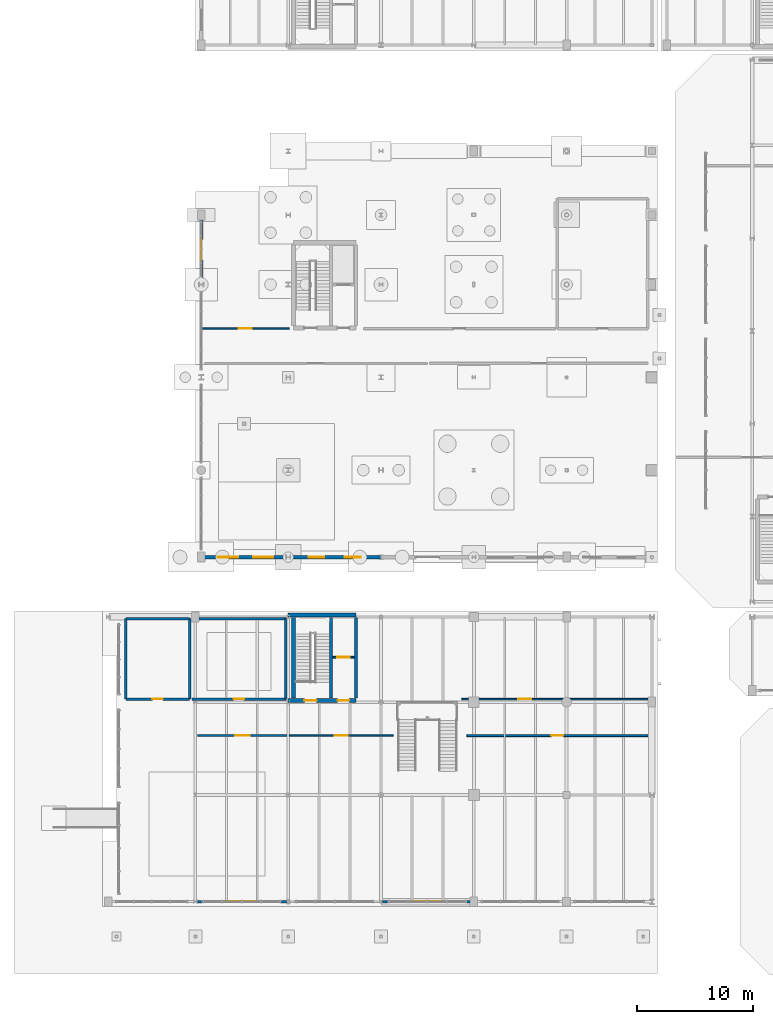
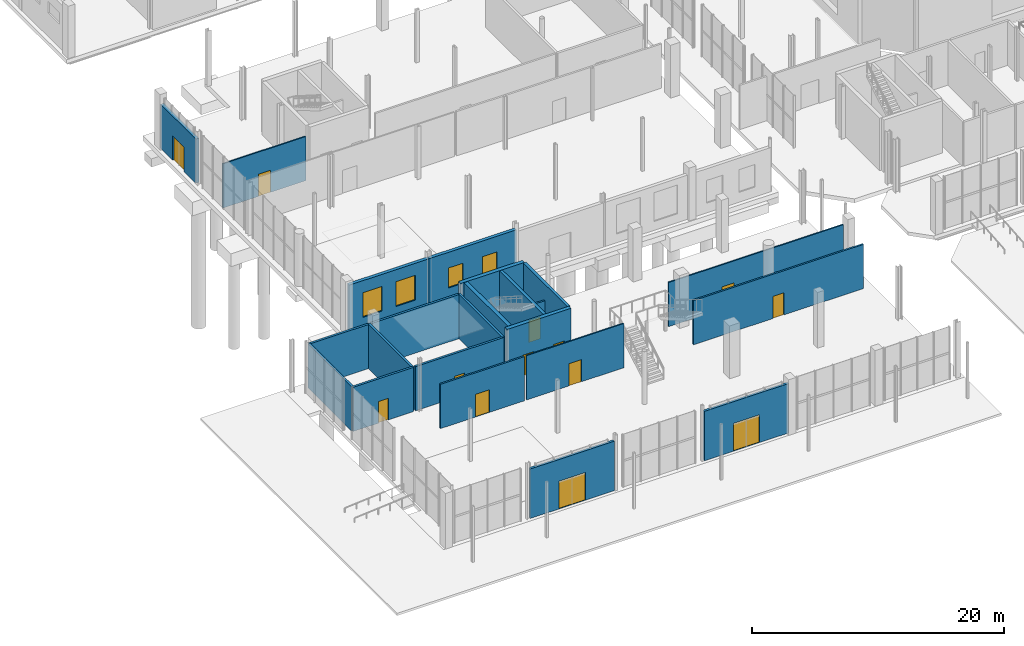
# One storey, part 65 of 87: 23 walls, 13 doors, 4 windows, 17 openings.
"""IFC4 building model written with IfcOpenShell, lengths in metres."""

from ifc_helpers import new_model, si_unit, direction, frame, frame_2d, origin, place, context, subcontext, project, spatial, rectangle, extrude, material, layer, layer_set, type_object, element, fill, save


model = new_model("IFC4")

# Units and contexts
model_context = context("Model", 3, precision=1e-05, world=origin(), true_north=direction((0.0, 1.0)))
body_context = subcontext(model_context, "Body", "Model", "MODEL_VIEW")
ifc_project = project(units=[si_unit("LENGTHUNIT", "METRE"), si_unit("AREAUNIT", "SQUARE_METRE"), si_unit("VOLUMEUNIT", "CUBIC_METRE"), si_unit("PLANEANGLEUNIT", "RADIAN"), si_unit("MASSUNIT", "GRAM", prefix="KILO")], contexts=[model_context])

# Site, building, storey
site_placement = place(None, origin())
site = spatial("IfcSite", under=ifc_project, at=site_placement, CompositionType="ELEMENT")
building_placement = place(site_placement, origin())
building = spatial("IfcBuilding", under=site, at=building_placement, Name="Brisemont Oceanarium", CompositionType="ELEMENT")
storey_placement = place(building_placement, origin())
storey = spatial("IfcBuildingStorey", under=building, at=storey_placement, Name="L00", CompositionType="ELEMENT", Elevation=0.0)

# Wall, opening, door
ifc_material_1 = material(Name="Sierra Granite Ashlar Backup Concrete C35/45", Category="masonry")
ifc_layer_1 = layer(ifc_material_1, 0.219970703125)
ifc_layer_set_1 = layer_set([ifc_layer_1], Name="Sierra Granite Ashlar Backup Concrete C35/45")
wall_type_1 = type_object("IfcWallType", Name="EW-BACK-220", PredefinedType="STANDARD", material=ifc_layer_set_1)
wall_1_placement = place(storey_placement, frame((23.860107421875, 6.800048828125, 0.0), z_axis=(0.0, 0.0, 1.0), x_axis=(-1.0, 0.0, 0.0)))
wall_1 = element("IfcWall", 1, at=wall_1_placement, inside=storey, type_object=wall_type_1, Name="Beaux-Arts exterior wall EW-V2PLZ-ENT-1", PredefinedType="STANDARD", context=body_context, shape_type="SweptSolid", body=[
    extrude(rectangle(XDim=7.72021484375, YDim=0.219970703125, at=frame_2d((3.860107421875, 0.0))), origin(), (0.0, 0.0, 1.0), 4.800048828125),
])
opening_1_placement = place(wall_1_placement, frame((2.659912109375, 0.0, 0.0)))
opening_1 = element("IfcOpeningElement", 2, at=opening_1_placement, cuts=wall_1, Name="Opening EX-01", PredefinedType="OPENING", context=body_context, shape_type="SweptSolid", body=[
    extrude(rectangle(XDim=2.39990234375, YDim=2.699951171875, at=frame_2d((1.199951171875, 1.35009765625))), frame((0.0, 0.119873046875, 0.0), z_axis=(0.0, -1.0, 0.0), x_axis=(1.0, 0.0, 0.0)), (0.0, 0.0, 1.0), 0.239990234375),
])
ifc_material_2 = material(Name="Patinated Architectural Bronze C38500")
door_type_1 = type_object("IfcDoorType", Name="DR-EXT-2400X2700", OperationType="NOTDEFINED", PredefinedType="DOOR", material=ifc_material_2)
door_1_placement = place(opening_1_placement, origin())
door_1 = element("IfcDoor", 3, at=door_1_placement, inside=storey, type_object=door_type_1, Name="EX-01 exterior entrance door 21", OperationType="DOUBLE_DOOR_SINGLE_SWING", OverallHeight=2.699951171875, OverallWidth=2.39990234375, PredefinedType="DOOR", context=body_context, shape_type="SweptSolid", body=[
    extrude(rectangle(XDim=2.39990234375, YDim=2.699951171875, at=frame_2d((1.199951171875, 1.35009765625))), frame((0.0, 0.02490234375, 0.0), z_axis=(0.0, -1.0, 0.0), x_axis=(1.0, 0.0, 0.0)), (0.0, 0.0, 1.0), 0.050048828125),
])
fill(opening_1, door_1)

wall_2_placement = place(storey_placement, frame((39.860107421875, 6.800048828125, 0.0), z_axis=(0.0, 0.0, 1.0), x_axis=(-1.0, 0.0, 0.0)))
wall_2 = element("IfcWall", 4, at=wall_2_placement, inside=storey, type_object=wall_type_1, Name="Beaux-Arts exterior wall EW-V2PLZ-ENT-2", PredefinedType="STANDARD", context=body_context, shape_type="SweptSolid", body=[
    extrude(rectangle(XDim=7.72021484375, YDim=0.219970703125, at=frame_2d((3.860107421875, 0.0))), origin(), (0.0, 0.0, 1.0), 4.800048828125),
])
opening_2_placement = place(wall_2_placement, frame((2.659912109375, 0.0, 0.0)))
opening_2 = element("IfcOpeningElement", 5, at=opening_2_placement, cuts=wall_2, Name="Opening EX-01", PredefinedType="OPENING", context=body_context, shape_type="SweptSolid", body=[
    extrude(rectangle(XDim=2.39990234375, YDim=2.699951171875, at=frame_2d((1.199951171875, 1.35009765625))), frame((0.0, 0.119873046875, 0.0), z_axis=(0.0, -1.0, 0.0), x_axis=(1.0, 0.0, 0.0)), (0.0, 0.0, 1.0), 0.239990234375),
])
door_2_placement = place(opening_2_placement, origin())
door_2 = element("IfcDoor", 6, at=door_2_placement, inside=storey, type_object=door_type_1, Name="EX-01 exterior entrance door 22", OperationType="DOUBLE_DOOR_SINGLE_SWING", OverallHeight=2.699951171875, OverallWidth=2.39990234375, PredefinedType="DOOR", context=body_context, shape_type="SweptSolid", body=[
    extrude(rectangle(XDim=2.39990234375, YDim=2.699951171875, at=frame_2d((1.199951171875, 1.35009765625))), frame((0.0, 0.02490234375, 0.0), z_axis=(0.0, -1.0, 0.0), x_axis=(1.0, 0.0, 0.0)), (0.0, 0.0, 1.0), 0.050048828125),
])
fill(opening_2, door_2)

# Wall, openings, windows
ifc_material_3 = material(Name="Sierra Granite Ashlar Backup Concrete C35/45", Category="masonry")
ifc_layer_2 = layer(ifc_material_3, 0.300048828125)
ifc_layer_set_2 = layer_set([ifc_layer_2], Name="Sierra Granite Ashlar Backup Concrete C35/45")
wall_type_2 = type_object("IfcWallType", Name="EW-GRANITE-300", PredefinedType="STANDARD", material=ifc_layer_set_2)
wall_3_placement = place(storey_placement, frame((16.64990234375, 36.5, 0.0), z_axis=(0.0, 0.0, 1.0), x_axis=(1.0, 0.0, 0.0)))
wall_3 = element("IfcWall", 7, at=wall_3_placement, inside=storey, type_object=wall_type_2, Name="Beaux-Arts exterior wall EW-V5WS-L00-1", PredefinedType="STANDARD", context=body_context, shape_type="SweptSolid", body=[
    extrude(rectangle(XDim=7.35009765625, YDim=0.300048828125, at=frame_2d((3.675048828125, 0.0))), origin(), (0.0, 0.0, 1.0), 4.468017578125),
])
opening_3_placement = place(wall_3_placement, frame((1.283203125, 0.0, 0.89990234375)))
opening_3 = element("IfcOpeningElement", 8, at=opening_3_placement, cuts=wall_3, Name="Opening WIN-19", PredefinedType="OPENING", context=body_context, shape_type="SweptSolid", body=[
    extrude(rectangle(XDim=1.75, YDim=2.39990234375, at=frame_2d((0.875, 1.199951171875))), frame((0.0, 0.159912109375, 0.0), z_axis=(0.0, -1.0, 0.0), x_axis=(1.0, 0.0, 0.0)), (0.0, 0.0, 1.0), 0.320068359375),
])
opening_4_placement = place(wall_3_placement, frame((4.316650390625, 0.0, 0.89990234375)))
opening_4 = element("IfcOpeningElement", 9, at=opening_4_placement, cuts=wall_3, Name="Opening WIN-19", PredefinedType="OPENING", context=body_context, shape_type="SweptSolid", body=[
    extrude(rectangle(XDim=1.75, YDim=2.39990234375, at=frame_2d((0.875, 1.199951171875))), frame((0.0, 0.159912109375, 0.0), z_axis=(0.0, -1.0, 0.0), x_axis=(1.0, 0.0, 0.0)), (0.0, 0.0, 1.0), 0.320068359375),
])
ifc_material_4 = material(Name="Insulated Low-E Laminated Glass", Category="glass")
window_type_1 = type_object("IfcWindowType", Name="WIN-BA-1750X2400", PartitioningType="SINGLE_PANEL", PredefinedType="WINDOW", material=ifc_material_4)
window_1_placement = place(opening_3_placement, origin())
window_1 = element("IfcWindow", 10, at=window_1_placement, inside=storey, type_object=window_type_1, Name="WIN-19 facade window 19", OverallHeight=2.39990234375, OverallWidth=1.75, PartitioningType="SINGLE_PANEL", PredefinedType="WINDOW", context=body_context, shape_type="SweptSolid", body=[
    extrude(rectangle(XDim=1.75, YDim=2.39990234375, at=frame_2d((0.875, 1.199951171875))), frame((0.0, 0.030029296875, 0.0), z_axis=(0.0, -1.0, 0.0), x_axis=(1.0, 0.0, 0.0)), (0.0, 0.0, 1.0), 0.06005859375),
])
fill(opening_3, window_1)
window_2_placement = place(opening_4_placement, origin())
window_2 = element("IfcWindow", 11, at=window_2_placement, inside=storey, type_object=window_type_1, Name="WIN-19 facade window 20", OverallHeight=2.39990234375, OverallWidth=1.75, PartitioningType="SINGLE_PANEL", PredefinedType="WINDOW", context=body_context, shape_type="SweptSolid", body=[
    extrude(rectangle(XDim=1.75, YDim=2.39990234375, at=frame_2d((0.875, 1.199951171875))), frame((0.0, 0.030029296875, 0.0), z_axis=(0.0, -1.0, 0.0), x_axis=(1.0, 0.0, 0.0)), (0.0, 0.0, 1.0), 0.06005859375),
])
fill(opening_4, window_2)

wall_4_placement = place(storey_placement, frame((24.0, 36.5, 0.0), z_axis=(0.0, 0.0, 1.0), x_axis=(1.0, 0.0, 0.0)))
wall_4 = element("IfcWall", 12, at=wall_4_placement, inside=storey, type_object=wall_type_2, Name="Beaux-Arts exterior wall EW-V5WS-L00-2", PredefinedType="STANDARD", context=body_context, shape_type="SweptSolid", body=[
    extrude(rectangle(XDim=8.0, YDim=0.300048828125, at=frame_2d((4.0, 0.0))), origin(), (0.0, 0.0, 1.0), 4.468017578125),
])
opening_5_placement = place(wall_4_placement, frame((1.7666015625, 0.0, 1.0)))
opening_5 = element("IfcOpeningElement", 13, at=opening_5_placement, cuts=wall_4, Name="Opening WIN-23", PredefinedType="OPENING", context=body_context, shape_type="SweptSolid", body=[
    extrude(rectangle(XDim=1.35009765625, YDim=1.949951171875, at=frame_2d((0.675048828125, 0.97509765625))), frame((0.0, 0.159912109375, 0.0), z_axis=(0.0, -1.0, 0.0), x_axis=(1.0, 0.0, 0.0)), (0.0, 0.0, 1.0), 0.320068359375),
])
opening_6_placement = place(wall_4_placement, frame((4.88330078125, 0.0, 1.0)))
opening_6 = element("IfcOpeningElement", 14, at=opening_6_placement, cuts=wall_4, Name="Opening WIN-23", PredefinedType="OPENING", context=body_context, shape_type="SweptSolid", body=[
    extrude(rectangle(XDim=1.35009765625, YDim=1.949951171875, at=frame_2d((0.675048828125, 0.97509765625))), frame((0.0, 0.159912109375, 0.0), z_axis=(0.0, -1.0, 0.0), x_axis=(1.0, 0.0, 0.0)), (0.0, 0.0, 1.0), 0.320068359375),
])
ifc_material_5 = material(Name="Insulated Low-E Laminated Glass", Category="glass")
window_type_2 = type_object("IfcWindowType", Name="WIN-BA-1350X1950", PartitioningType="SINGLE_PANEL", PredefinedType="WINDOW", material=ifc_material_5)
window_3_placement = place(opening_5_placement, origin())
window_3 = element("IfcWindow", 15, at=window_3_placement, inside=storey, type_object=window_type_2, Name="WIN-23 facade window 23", OverallHeight=1.949951171875, OverallWidth=1.35009765625, PartitioningType="SINGLE_PANEL", PredefinedType="WINDOW", context=body_context, shape_type="SweptSolid", body=[
    extrude(rectangle(XDim=1.35009765625, YDim=1.949951171875, at=frame_2d((0.675048828125, 0.97509765625))), frame((0.0, 0.030029296875, 0.0), z_axis=(0.0, -1.0, 0.0), x_axis=(1.0, 0.0, 0.0)), (0.0, 0.0, 1.0), 0.06005859375),
])
fill(opening_5, window_3)
window_4_placement = place(opening_6_placement, origin())
window_4 = element("IfcWindow", 16, at=window_4_placement, inside=storey, type_object=window_type_2, Name="WIN-23 facade window 24", OverallHeight=1.949951171875, OverallWidth=1.35009765625, PartitioningType="SINGLE_PANEL", PredefinedType="WINDOW", context=body_context, shape_type="SweptSolid", body=[
    extrude(rectangle(XDim=1.35009765625, YDim=1.949951171875, at=frame_2d((0.675048828125, 0.97509765625))), frame((0.0, 0.030029296875, 0.0), z_axis=(0.0, -1.0, 0.0), x_axis=(1.0, 0.0, 0.0)), (0.0, 0.0, 1.0), 0.06005859375),
])
fill(opening_6, window_4)

# Wall, opening, door
wall_5_placement = place(storey_placement, frame((16.5, 60.199951171875, 0.0), z_axis=(0.0, 0.0, 1.0), x_axis=(0.0, 1.0, 0.0)))
wall_5 = element("IfcWall", 17, at=wall_5_placement, inside=storey, type_object=wall_type_2, Name="Beaux-Arts exterior wall EW-C5-EXIT", PredefinedType="STANDARD", context=body_context, shape_type="SweptSolid", body=[
    extrude(rectangle(XDim=5.60009765625, YDim=0.300048828125, at=frame_2d((2.800048828125, 0.0))), origin(), (0.0, 0.0, 1.0), 4.280029296875),
])
opening_7_placement = place(wall_5_placement, frame((1.89990234375, 0.0, 0.0)))
opening_7 = element("IfcOpeningElement", 18, at=opening_7_placement, cuts=wall_5, Name="Opening EX-03", PredefinedType="OPENING", context=body_context, shape_type="SweptSolid", body=[
    extrude(rectangle(XDim=1.800048828125, YDim=2.35009765625, at=frame_2d((0.89990234375, 1.175048828125))), frame((0.0, 0.159912109375, 0.0), z_axis=(0.0, -1.0, 0.0), x_axis=(1.0, 0.0, 0.0)), (0.0, 0.0, 1.0), 0.320068359375),
])
ifc_material_6 = material(Name="Patinated Architectural Bronze C38500")
door_type_2 = type_object("IfcDoorType", Name="DR-EXT-1800X2350", OperationType="NOTDEFINED", PredefinedType="DOOR", material=ifc_material_6)
door_3_placement = place(opening_7_placement, origin())
door_3 = element("IfcDoor", 19, at=door_3_placement, inside=storey, type_object=door_type_2, Name="EX-03 exterior entrance door 25", OperationType="SINGLE_SWING_RIGHT", OverallHeight=2.35009765625, OverallWidth=1.800048828125, PredefinedType="DOOR", context=body_context, shape_type="SweptSolid", body=[
    extrude(rectangle(XDim=1.800048828125, YDim=2.35009765625, at=frame_2d((0.89990234375, 1.175048828125))), frame((0.0, 0.02490234375, 0.0), z_axis=(0.0, -1.0, 0.0), x_axis=(1.0, 0.0, 0.0)), (0.0, 0.0, 1.0), 0.050048828125),
])
fill(opening_7, door_3)

ifc_material_7 = material(Name="Moisture-Resistant Gypsum Steel-Stud Partition", Category="steel")
ifc_layer_3 = layer(ifc_material_7, 0.159912109375)
ifc_layer_set_3 = layer_set([ifc_layer_3], Name="Moisture-Resistant Gypsum Steel-Stud Partition")
wall_type_3 = type_object("IfcWallType", Name="IW-FB-160", PredefinedType="PARTITIONING", material=ifc_layer_set_3)
wall_6_placement = place(storey_placement, frame((27.85009765625, 27.8701171875, 0.0), z_axis=(0.0, 0.0, 1.0), x_axis=(1.0, 0.0, 0.0)))
wall_6 = element("IfcWall", 20, at=wall_6_placement, inside=storey, type_object=wall_type_3, Name="Core C3 L00 lift hoistway front wall", PredefinedType="PARTITIONING", context=body_context, shape_type="SweptSolid", body=[
    extrude(rectangle(XDim=1.83984375, YDim=0.159912109375, at=frame_2d((0.919921875, 0.0))), origin(), (0.0, 0.0, 1.0), 3.60009765625),
])
opening_8_placement = place(wall_6_placement, frame((0.3701171875, 0.0, 0.0)))
opening_8 = element("IfcOpeningElement", 21, at=opening_8_placement, cuts=wall_6, Name="Opening LD-01", PredefinedType="OPENING", context=body_context, shape_type="SweptSolid", body=[
    extrude(rectangle(XDim=1.10009765625, YDim=2.14990234375, at=frame_2d((0.550048828125, 1.074951171875))), frame((0.0, 0.08984375, 0.0), z_axis=(0.0, -1.0, 0.0), x_axis=(1.0, 0.0, 0.0)), (0.0, 0.0, 1.0), 0.179931640625),
])
ifc_material_8 = material(Name="Duplex Stainless Steel EN 1.4462", Category="steel")
door_type_3 = type_object("IfcDoorType", Name="DR-LIFT-1100X2150", OperationType="NOTDEFINED", PredefinedType="DOOR", material=ifc_material_8)
door_4_placement = place(opening_8_placement, origin())
door_4 = element("IfcDoor", 22, at=door_4_placement, inside=storey, type_object=door_type_3, Name="Lift landing door LF-03 L00", OperationType="SLIDING_TO_LEFT", OverallHeight=2.14990234375, OverallWidth=1.10009765625, PredefinedType="DOOR", context=body_context, shape_type="SweptSolid", body=[
    extrude(rectangle(XDim=1.10009765625, YDim=2.14990234375, at=frame_2d((0.550048828125, 1.074951171875))), frame((0.0, 0.02490234375, 0.0), z_axis=(0.0, -1.0, 0.0), x_axis=(1.0, 0.0, 0.0)), (0.0, 0.0, 1.0), 0.050048828125),
])
fill(opening_8, door_4)

wall_7_placement = place(storey_placement, frame((16.199951171875, 21.1201171875, 0.0), z_axis=(0.0, 0.0, 1.0), x_axis=(1.0, 0.0, 0.0)))
wall_7 = element("IfcWall", 23, at=wall_7_placement, inside=storey, type_object=wall_type_3, Name="C3 Protected Exit Passageway corridor partition", PredefinedType="PARTITIONING", context=body_context, shape_type="SweptSolid", body=[
    extrude(rectangle(XDim=7.699951171875, YDim=0.159912109375, at=frame_2d((3.85009765625, 0.0))), origin(), (0.0, 0.0, 1.0), 4.2900390625),
])
opening_9_placement = place(wall_7_placement, frame((3.22509765625, 0.0, 0.0)))
opening_9 = element("IfcOpeningElement", 24, at=opening_9_placement, cuts=wall_7, Name="Opening LB-02", PredefinedType="OPENING", context=body_context, shape_type="SweptSolid", body=[
    extrude(rectangle(XDim=1.25, YDim=2.199951171875, at=frame_2d((0.625, 1.10009765625))), frame((0.0, 0.08984375, 0.0), z_axis=(0.0, -1.0, 0.0), x_axis=(1.0, 0.0, 0.0)), (0.0, 0.0, 1.0), 0.179931640625),
])
ifc_material_9 = material(Name="Duplex Stainless Steel EN 1.4462", Category="steel")
door_type_4 = type_object("IfcDoorType", Name="DR-LAB-1250X2200", OperationType="NOTDEFINED", PredefinedType="DOOR", material=ifc_material_9)
door_5_placement = place(opening_9_placement, origin())
door_5 = element("IfcDoor", 25, at=door_5_placement, inside=storey, type_object=door_type_4, Name="LB-02 door to C3 Protected Exit Passageway", OperationType="SINGLE_SWING_RIGHT", OverallHeight=2.199951171875, OverallWidth=1.25, PredefinedType="DOOR", context=body_context, shape_type="SweptSolid", body=[
    extrude(rectangle(XDim=1.25, YDim=2.199951171875, at=frame_2d((0.625, 1.10009765625))), frame((0.0, 0.02490234375, 0.0), z_axis=(0.0, -1.0, 0.0), x_axis=(1.0, 0.0, 0.0)), (0.0, 0.0, 1.0), 0.050048828125),
])
fill(opening_9, door_5)

wall_8_placement = place(storey_placement, frame((39.39990234375, 21.1201171875, 0.0), z_axis=(0.0, 0.0, 1.0), x_axis=(1.0, 0.0, 0.0)))
wall_8 = element("IfcWall", 26, at=wall_8_placement, inside=storey, type_object=wall_type_3, Name="Aquarium Museum Shop corridor partition", PredefinedType="PARTITIONING", context=body_context, shape_type="SweptSolid", body=[
    extrude(rectangle(XDim=15.60009765625, YDim=0.159912109375, at=frame_2d((7.800048828125, 0.0))), origin(), (0.0, 0.0, 1.0), 4.2900390625),
])
opening_10_placement = place(wall_8_placement, frame((7.2900390625, 0.0, 0.0)))
opening_10 = element("IfcOpeningElement", 27, at=opening_10_placement, cuts=wall_8, Name="Opening D-01", PredefinedType="OPENING", context=body_context, shape_type="SweptSolid", body=[
    extrude(rectangle(XDim=1.02001953125, YDim=2.14990234375, at=frame_2d((0.510009765625, 1.074951171875))), frame((0.0, 0.08984375, 0.0), z_axis=(0.0, -1.0, 0.0), x_axis=(1.0, 0.0, 0.0)), (0.0, 0.0, 1.0), 0.179931640625),
])
ifc_material_10 = material(Name="FSC White Oak Solid-Core Fire Door")
door_type_5 = type_object("IfcDoorType", Name="DR-RM-1020X2150", OperationType="NOTDEFINED", PredefinedType="DOOR", material=ifc_material_10)
door_6_placement = place(opening_10_placement, origin())
door_6 = element("IfcDoor", 28, at=door_6_placement, inside=storey, type_object=door_type_5, Name="D-01 door to Aquarium Museum Shop", OperationType="SINGLE_SWING_RIGHT", OverallHeight=2.14990234375, OverallWidth=1.02001953125, PredefinedType="DOOR", context=body_context, shape_type="SweptSolid", body=[
    extrude(rectangle(XDim=1.02001953125, YDim=2.14990234375, at=frame_2d((0.510009765625, 1.074951171875))), frame((0.0, 0.02490234375, 0.0), z_axis=(0.0, -1.0, 0.0), x_axis=(1.0, 0.0, 0.0)), (0.0, 0.0, 1.0), 0.050048828125),
])
fill(opening_10, door_6)

ifc_material_11 = material(Name="Moisture-Resistant Gypsum Steel-Stud Partition", Category="steel")
ifc_layer_4 = layer(ifc_material_11, 0.1201171875)
ifc_layer_set_4 = layer_set([ifc_layer_4], Name="Moisture-Resistant Gypsum Steel-Stud Partition")
wall_type_4 = type_object("IfcWallType", Name="IW-PART-120", PredefinedType="PARTITIONING", material=ifc_layer_set_4)
wall_9_placement = place(storey_placement, frame((24.10009765625, 21.1201171875, 0.0), z_axis=(0.0, 0.0, 1.0), x_axis=(1.0, 0.0, 0.0)))
wall_9 = element("IfcWall", 29, at=wall_9_placement, inside=storey, type_object=wall_type_4, Name="Grand Foyer and Ticketing corridor partition", PredefinedType="PARTITIONING", context=body_context, shape_type="SweptSolid", body=[
    extrude(rectangle(XDim=8.93994140625, YDim=0.1201171875, at=frame_2d((4.469970703125, 0.0))), origin(), (0.0, 0.0, 1.0), 4.2900390625),
])
opening_11_placement = place(wall_9_placement, frame((3.909912109375, 0.0, 0.0)))
opening_11 = element("IfcOpeningElement", 30, at=opening_11_placement, cuts=wall_9, Name="Opening LB-03", PredefinedType="OPENING", context=body_context, shape_type="SweptSolid", body=[
    extrude(rectangle(XDim=1.1201171875, YDim=2.14990234375, at=frame_2d((0.56005859375, 1.074951171875))), frame((0.0, 0.070068359375, 0.0), z_axis=(0.0, -1.0, 0.0), x_axis=(1.0, 0.0, 0.0)), (0.0, 0.0, 1.0), 0.14013671875),
])
ifc_material_12 = material(Name="Duplex Stainless Steel EN 1.4462", Category="steel")
door_type_6 = type_object("IfcDoorType", Name="DR-LAB-1120X2150", OperationType="NOTDEFINED", PredefinedType="DOOR", material=ifc_material_12)
door_7_placement = place(opening_11_placement, origin())
door_7 = element("IfcDoor", 31, at=door_7_placement, inside=storey, type_object=door_type_6, Name="LB-03 door to Grand Foyer and Ticketing", OperationType="SINGLE_SWING_LEFT", OverallHeight=2.14990234375, OverallWidth=1.1201171875, PredefinedType="DOOR", context=body_context, shape_type="SweptSolid", body=[
    extrude(rectangle(XDim=1.1201171875, YDim=2.14990234375, at=frame_2d((0.56005859375, 1.074951171875))), frame((0.0, 0.02490234375, 0.0), z_axis=(0.0, -1.0, 0.0), x_axis=(1.0, 0.0, 0.0)), (0.0, 0.0, 1.0), 0.050048828125),
])
fill(opening_11, door_7)

wall_10_placement = place(storey_placement, frame((38.9599609375, 24.260009765625, 0.0), z_axis=(0.0, 0.0, 1.0), x_axis=(1.0, 0.0, 0.0)))
wall_10 = element("IfcWall", 32, at=wall_10_placement, inside=storey, type_object=wall_type_4, Name="Group Orientation Welcome Theatre corridor partition", PredefinedType="PARTITIONING", context=body_context, shape_type="SweptSolid", body=[
    extrude(rectangle(XDim=16.0400390625, YDim=0.1201171875, at=frame_2d((8.02001953125, 0.0))), origin(), (0.0, 0.0, 1.0), 4.2900390625),
])
opening_12_placement = place(wall_10_placement, frame((4.8896484375, 0.0, 0.0)))
opening_12 = element("IfcOpeningElement", 33, at=opening_12_placement, cuts=wall_10, Name="Opening LB-03", PredefinedType="OPENING", context=body_context, shape_type="SweptSolid", body=[
    extrude(rectangle(XDim=1.1201171875, YDim=2.14990234375, at=frame_2d((0.56005859375, 1.074951171875))), frame((0.0, 0.070068359375, 0.0), z_axis=(0.0, -1.0, 0.0), x_axis=(1.0, 0.0, 0.0)), (0.0, 0.0, 1.0), 0.14013671875),
])
door_8_placement = place(opening_12_placement, origin())
door_8 = element("IfcDoor", 34, at=door_8_placement, inside=storey, type_object=door_type_6, Name="LB-03 door to Group Orientation Welcome Theatre", OperationType="SINGLE_SWING_LEFT", OverallHeight=2.14990234375, OverallWidth=1.1201171875, PredefinedType="DOOR", context=body_context, shape_type="SweptSolid", body=[
    extrude(rectangle(XDim=1.1201171875, YDim=2.14990234375, at=frame_2d((0.56005859375, 1.074951171875))), frame((0.0, 0.02490234375, 0.0), z_axis=(0.0, -1.0, 0.0), x_axis=(1.0, 0.0, 0.0)), (0.0, 0.0, 1.0), 0.050048828125),
])
fill(opening_12, door_8)

wall_11_placement = place(storey_placement, frame((16.5, 56.199951171875, 0.0), z_axis=(0.0, 0.0, 1.0), x_axis=(1.0, 0.0, 0.0)))
wall_11 = element("IfcWall", 35, at=wall_11_placement, inside=storey, type_object=wall_type_4, Name="C5 Protected Exit Passageway corridor partition", PredefinedType="PARTITIONING", context=body_context, shape_type="SweptSolid", body=[
    extrude(rectangle(XDim=7.60009765625, YDim=0.1201171875, at=frame_2d((3.800048828125, 0.0))), origin(), (0.0, 0.0, 1.0), 4.2900390625),
])
opening_13_placement = place(wall_11_placement, frame((3.239990234375, 0.0, 0.0)))
opening_13 = element("IfcOpeningElement", 36, at=opening_13_placement, cuts=wall_11, Name="Opening LB-03", PredefinedType="OPENING", context=body_context, shape_type="SweptSolid", body=[
    extrude(rectangle(XDim=1.1201171875, YDim=2.14990234375, at=frame_2d((0.56005859375, 1.074951171875))), frame((0.0, 0.070068359375, 0.0), z_axis=(0.0, -1.0, 0.0), x_axis=(1.0, 0.0, 0.0)), (0.0, 0.0, 1.0), 0.14013671875),
])
door_9_placement = place(opening_13_placement, origin())
door_9 = element("IfcDoor", 37, at=door_9_placement, inside=storey, type_object=door_type_6, Name="LB-03 door to C5 Protected Exit Passageway", OperationType="SINGLE_SWING_LEFT", OverallHeight=2.14990234375, OverallWidth=1.1201171875, PredefinedType="DOOR", context=body_context, shape_type="SweptSolid", body=[
    extrude(rectangle(XDim=1.1201171875, YDim=2.14990234375, at=frame_2d((0.56005859375, 1.074951171875))), frame((0.0, 0.02490234375, 0.0), z_axis=(0.0, -1.0, 0.0), x_axis=(1.0, 0.0, 0.0)), (0.0, 0.0, 1.0), 0.050048828125),
])
fill(opening_13, door_9)

ifc_material_13 = material(Name="Cementitious Tile-Backer Plumbing Wall")
ifc_layer_5 = layer(ifc_material_13, 0.199951171875)
ifc_layer_set_5 = layer_set([ifc_layer_5], Name="Cementitious Tile-Backer Plumbing Wall")
wall_type_5 = type_object("IfcWallType", Name="IW-PLUMB-200", PredefinedType="PLUMBINGWALL", material=ifc_layer_set_5)
wall_12_placement = place(storey_placement, frame((10.0, 24.260009765625, 0.0), z_axis=(0.0, 0.0, 1.0), x_axis=(1.0, 0.0, 0.0)))
wall_12 = element("IfcWall", 38, at=wall_12_placement, inside=storey, type_object=wall_type_5, Name="Accessible WC corridor partition", PredefinedType="PLUMBINGWALL", context=body_context, shape_type="SweptSolid", body=[
    extrude(rectangle(XDim=5.5, YDim=0.199951171875, at=frame_2d((2.75, 0.0))), origin(), (0.0, 0.0, 1.0), 4.2900390625),
])
opening_14_placement = place(wall_12_placement, frame((2.294921875, 0.0, 0.0)))
opening_14 = element("IfcOpeningElement", 39, at=opening_14_placement, cuts=wall_12, Name="Opening D-03", PredefinedType="OPENING", context=body_context, shape_type="SweptSolid", body=[
    extrude(rectangle(XDim=0.909912109375, YDim=2.10009765625, at=frame_2d((0.455078125, 1.050048828125))), frame((0.0, 0.10986328125, 0.0), z_axis=(0.0, -1.0, 0.0), x_axis=(1.0, 0.0, 0.0)), (0.0, 0.0, 1.0), 0.219970703125),
])
ifc_material_14 = material(Name="FSC White Oak Solid-Core Fire Door")
door_type_7 = type_object("IfcDoorType", Name="DR-WC-910X2100", OperationType="NOTDEFINED", PredefinedType="DOOR", material=ifc_material_14)
door_10_placement = place(opening_14_placement, origin())
door_10 = element("IfcDoor", 40, at=door_10_placement, inside=storey, type_object=door_type_7, Name="D-03 door to Accessible WC", OperationType="SINGLE_SWING_LEFT", OverallHeight=2.10009765625, OverallWidth=0.909912109375, PredefinedType="DOOR", context=body_context, shape_type="SweptSolid", body=[
    extrude(rectangle(XDim=0.909912109375, YDim=2.10009765625, at=frame_2d((0.455078125, 1.050048828125))), frame((0.0, 0.02490234375, 0.0), z_axis=(0.0, -1.0, 0.0), x_axis=(1.0, 0.0, 0.0)), (0.0, 0.0, 1.0), 0.050048828125),
])
fill(opening_14, door_10)

# Walls
wall_13_placement = place(storey_placement, frame((10.0, 31.199951171875, 0.0), z_axis=(0.0, 0.0, 1.0), x_axis=(1.0, 0.0, 0.0)))
element("IfcWall", 41, at=wall_13_placement, inside=storey, type_object=wall_type_5, Name="Accessible WC enclosure wall N", PredefinedType="PLUMBINGWALL", context=body_context, shape_type="SweptSolid", body=[
    extrude(rectangle(XDim=5.5, YDim=0.199951171875, at=frame_2d((2.75, 0.0))), origin(), (0.0, 0.0, 1.0), 4.280029296875),
])
for number, where, z_axis, x_axis, name in (
    (42, (10.0, 24.260009765625, 0.0), (0.0, 0.0, 1.0), (0.0, 1.0, 0.0), "Accessible WC enclosure wall W"),
    (43, (15.5, 24.260009765625, 0.0), (0.0, 0.0, 1.0), (0.0, 1.0, 0.0), "Accessible WC enclosure wall E"),
):
    element("IfcWall", number, at=place(storey_placement, frame(where, z_axis=z_axis, x_axis=x_axis)), inside=storey, type_object=wall_type_5, Name=name, PredefinedType="PLUMBINGWALL", context=body_context, shape_type="SweptSolid", body=[
        extrude(rectangle(XDim=6.93994140625, YDim=0.199951171875, at=frame_2d((3.469970703125, 0.0))), origin(), (0.0, 0.0, 1.0), 4.2900390625),
    ])

# Wall, opening, door
wall_14_placement = place(storey_placement, frame((15.699951171875, 24.260009765625, 0.0), z_axis=(0.0, 0.0, 1.0), x_axis=(1.0, 0.0, 0.0)))
wall_14 = element("IfcWall", 44, at=wall_14_placement, inside=storey, type_object=wall_type_5, Name="Public Restroom corridor partition", PredefinedType="PLUMBINGWALL", context=body_context, shape_type="SweptSolid", body=[
    extrude(rectangle(XDim=8.10009765625, YDim=0.199951171875, at=frame_2d((4.050048828125, 0.0))), origin(), (0.0, 0.0, 1.0), 4.2900390625),
])
opening_15_placement = place(wall_14_placement, frame((3.594970703125, 0.0, 0.0)))
opening_15 = element("IfcOpeningElement", 45, at=opening_15_placement, cuts=wall_14, Name="Opening D-03", PredefinedType="OPENING", context=body_context, shape_type="SweptSolid", body=[
    extrude(rectangle(XDim=0.909912109375, YDim=2.10009765625, at=frame_2d((0.455078125, 1.050048828125))), frame((0.0, 0.10986328125, 0.0), z_axis=(0.0, -1.0, 0.0), x_axis=(1.0, 0.0, 0.0)), (0.0, 0.0, 1.0), 0.219970703125),
])
door_11_placement = place(opening_15_placement, origin())
door_11 = element("IfcDoor", 46, at=door_11_placement, inside=storey, type_object=door_type_7, Name="D-03 door to Public Restroom", OperationType="SINGLE_SWING_RIGHT", OverallHeight=2.10009765625, OverallWidth=0.909912109375, PredefinedType="DOOR", context=body_context, shape_type="SweptSolid", body=[
    extrude(rectangle(XDim=0.909912109375, YDim=2.10009765625, at=frame_2d((0.455078125, 1.050048828125))), frame((0.0, 0.02490234375, 0.0), z_axis=(0.0, -1.0, 0.0), x_axis=(1.0, 0.0, 0.0)), (0.0, 0.0, 1.0), 0.050048828125),
])
fill(opening_15, door_11)

# Walls
wall_15_placement = place(storey_placement, frame((15.699951171875, 31.199951171875, 0.0), z_axis=(0.0, 0.0, 1.0), x_axis=(1.0, 0.0, 0.0)))
element("IfcWall", 47, at=wall_15_placement, inside=storey, type_object=wall_type_5, Name="Public Restroom enclosure wall N", PredefinedType="PLUMBINGWALL", context=body_context, shape_type="SweptSolid", body=[
    extrude(rectangle(XDim=8.10009765625, YDim=0.199951171875, at=frame_2d((4.050048828125, 0.0))), origin(), (0.0, 0.0, 1.0), 4.280029296875),
])
wall_16_placement = place(storey_placement, frame((23.800048828125, 24.260009765625, 0.0), z_axis=(0.0, 0.0, 1.0), x_axis=(0.0, 1.0, 0.0)))
element("IfcWall", 48, at=wall_16_placement, inside=storey, type_object=wall_type_5, Name="Public Restroom enclosure wall E", PredefinedType="PLUMBINGWALL", context=body_context, shape_type="SweptSolid", body=[
    extrude(rectangle(XDim=6.93994140625, YDim=0.199951171875, at=frame_2d((3.469970703125, 0.0))), origin(), (0.0, 0.0, 1.0), 4.2900390625),
])
ifc_material_15 = material(Name="Concrete C40/50", Category="concrete")
ifc_layer_6 = layer(ifc_material_15, 0.260009765625)
ifc_layer_set_6 = layer_set([ifc_layer_6], Name="Concrete C40/50")
wall_type_6 = type_object("IfcWallType", Name="SW-SHAFT-260", PredefinedType="SHEAR", material=ifc_layer_set_6)
for number, where, z_axis, x_axis, name in (
    (49, (29.85009765625, 24.35009765625, 0.0), (0.0, 0.0, 1.0), (0.0, 1.0, 0.0), "Core C3 L00 E RC shear wall"),
    (50, (27.669921875, 24.35009765625, 0.0), (0.0, 0.0, 1.0), (0.0, 1.0, 0.0), "Core C3 L00 MID RC shear wall"),
):
    element("IfcWall", number, at=place(storey_placement, frame(where, z_axis=z_axis, x_axis=x_axis)), inside=storey, type_object=wall_type_6, Name=name, PredefinedType="SHEAR", context=body_context, shape_type="SweptSolid", body=[
        extrude(rectangle(XDim=6.949951171875, YDim=0.260009765625, at=frame_2d((3.47509765625, 0.0))), origin(), (0.0, 0.0, 1.0), 5.110107421875),
    ])

# Wall, openings, doors
ifc_material_16 = material(Name="Concrete C40/50", Category="concrete")
ifc_layer_7 = layer(ifc_material_16, 0.35009765625)
ifc_layer_set_7 = layer_set([ifc_layer_7], Name="Concrete C40/50")
wall_type_7 = type_object("IfcWallType", Name="SW-STAIR-350", PredefinedType="SHEAR", material=ifc_layer_set_7)
wall_17_placement = place(storey_placement, frame((24.0, 24.14990234375, 0.0), z_axis=(0.0, 0.0, 1.0), x_axis=(1.0, 0.0, 0.0)))
wall_17 = element("IfcWall", 51, at=wall_17_placement, inside=storey, type_object=wall_type_7, Name="Core C3 L00 corridor RC shear wall", PredefinedType="SHEAR", context=body_context, shape_type="SweptSolid", body=[
    extrude(rectangle(XDim=5.85009765625, YDim=0.35009765625, at=frame_2d((2.925048828125, 0.0))), origin(), (0.0, 0.0, 1.0), 5.110107421875),
])
opening_16_placement = place(wall_17_placement, frame((1.39990234375, 0.0, 0.0)))
opening_16 = element("IfcOpeningElement", 52, at=opening_16_placement, cuts=wall_17, Name="Opening SD-02", PredefinedType="OPENING", context=body_context, shape_type="SweptSolid", body=[
    extrude(rectangle(XDim=1.050048828125, YDim=2.10009765625, at=frame_2d((0.52490234375, 1.050048828125))), frame((0.0, 0.18505859375, 0.0), z_axis=(0.0, -1.0, 0.0), x_axis=(1.0, 0.0, 0.0)), (0.0, 0.0, 1.0), 0.3701171875),
])
opening_17_placement = place(wall_17_placement, frame((4.25, 0.0, 0.0)))
opening_17 = element("IfcOpeningElement", 53, at=opening_17_placement, cuts=wall_17, Name="Opening FD90-2", PredefinedType="OPENING", context=body_context, shape_type="SweptSolid", body=[
    extrude(rectangle(XDim=1.0, YDim=2.14990234375, at=frame_2d((0.5, 1.074951171875))), frame((0.0, 0.18505859375, 0.0), z_axis=(0.0, -1.0, 0.0), x_axis=(1.0, 0.0, 0.0)), (0.0, 0.0, 1.0), 0.3701171875),
])
ifc_material_17 = material(Name="FSC White Oak Solid-Core Fire Door")
door_type_8 = type_object("IfcDoorType", Name="DR-LOB-1000X2150", OperationType="NOTDEFINED", PredefinedType="DOOR", material=ifc_material_17)
door_12_placement = place(opening_17_placement, origin())
door_12 = element("IfcDoor", 54, at=door_12_placement, inside=storey, type_object=door_type_8, Name="Lift lobby door C3 L00", OperationType="SINGLE_SWING_LEFT", OverallHeight=2.14990234375, OverallWidth=1.0, PredefinedType="DOOR", context=body_context, shape_type="SweptSolid", body=[
    extrude(rectangle(XDim=1.0, YDim=2.14990234375, at=frame_2d((0.5, 1.074951171875))), frame((0.0, 0.02490234375, 0.0), z_axis=(0.0, -1.0, 0.0), x_axis=(1.0, 0.0, 0.0)), (0.0, 0.0, 1.0), 0.050048828125),
])
fill(opening_17, door_12)
ifc_material_18 = material(Name="Duplex Stainless Steel EN 1.4462", Category="steel")
door_type_9 = type_object("IfcDoorType", Name="DR-STAIR-1050X2100", OperationType="NOTDEFINED", PredefinedType="DOOR", material=ifc_material_18)
door_13_placement = place(opening_16_placement, origin())
door_13 = element("IfcDoor", 55, at=door_13_placement, inside=storey, type_object=door_type_9, Name="Exit stair door ST-03 L00", OperationType="SINGLE_SWING_RIGHT", OverallHeight=2.10009765625, OverallWidth=1.050048828125, PredefinedType="DOOR", context=body_context, shape_type="SweptSolid", body=[
    extrude(rectangle(XDim=1.050048828125, YDim=2.10009765625, at=frame_2d((0.52490234375, 1.050048828125))), frame((0.0, 0.02490234375, 0.0), z_axis=(0.0, -1.0, 0.0), x_axis=(1.0, 0.0, 0.0)), (0.0, 0.0, 1.0), 0.050048828125),
])
fill(opening_16, door_13)

# Walls
wall_18_placement = place(storey_placement, frame((24.0, 31.5, 0.0), z_axis=(0.0, 0.0, 1.0), x_axis=(1.0, 0.0, 0.0)))
element("IfcWall", 56, at=wall_18_placement, inside=storey, type_object=wall_type_7, Name="Core C3 L00 BCK RC shear wall", PredefinedType="SHEAR", context=body_context, shape_type="SweptSolid", body=[
    extrude(rectangle(XDim=5.85009765625, YDim=0.35009765625, at=frame_2d((2.925048828125, 0.0))), origin(), (0.0, 0.0, 1.0), 5.110107421875),
])
wall_19_placement = place(storey_placement, frame((24.449951171875, 24.35009765625, 0.0), z_axis=(0.0, 0.0, 1.0), x_axis=(0.0, 1.0, 0.0)))
element("IfcWall", 57, at=wall_19_placement, inside=storey, type_object=wall_type_7, Name="Core C3 L00 W RC shear wall", PredefinedType="SHEAR", context=body_context, shape_type="SweptSolid", body=[
    extrude(rectangle(XDim=6.949951171875, YDim=0.35009765625, at=frame_2d((3.47509765625, 0.0))), origin(), (0.0, 0.0, 1.0), 5.110107421875),
])

save(model, "model.ifc")
